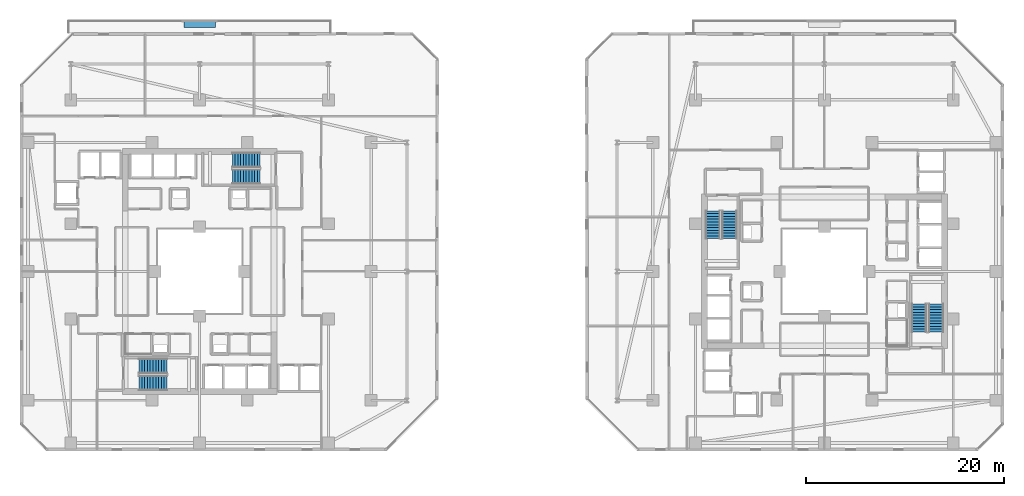
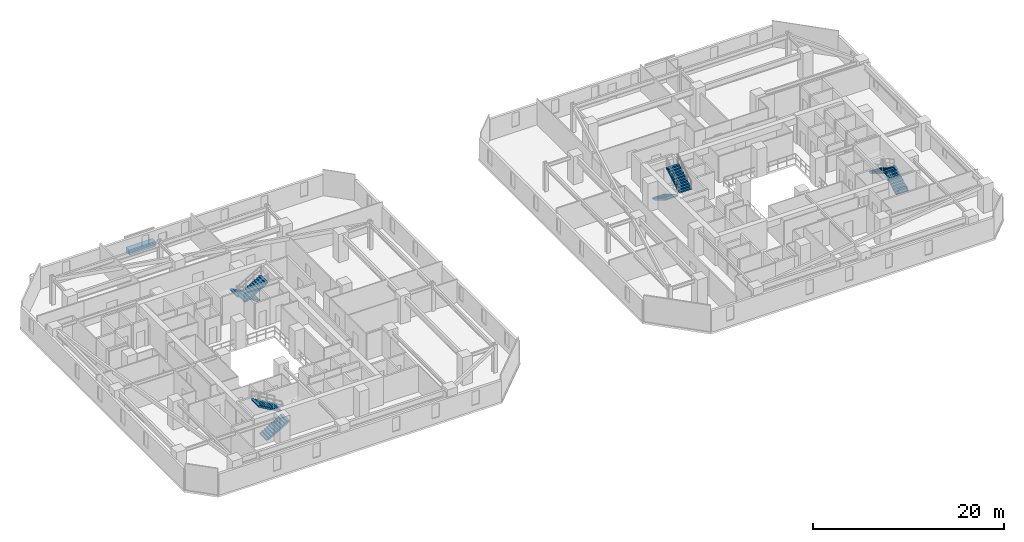
# One storey, part 25 of 31: 8 stair flights, 1 discrete accessory, 4 elements without a shape of their own.
"""IFC4 building model written with IfcOpenShell, lengths in metres."""

from ifc_helpers import new_model, si_unit, direction, frame, origin, origin_2d, place, context, subcontext, project, spatial, polyline, rectangle, outline, extrude, material, type_object, element, aggregate, save


model = new_model("IFC4")

# Units and contexts
model_context = context("Model", 3, precision=1e-05, world=origin(), true_north=direction((0.0, 1.0)))
body_context = subcontext(model_context, "Body", "Model", "MODEL_VIEW")
ifc_project = project(units=[si_unit("LENGTHUNIT", "METRE"), si_unit("AREAUNIT", "SQUARE_METRE"), si_unit("VOLUMEUNIT", "CUBIC_METRE"), si_unit("PLANEANGLEUNIT", "RADIAN"), si_unit("MASSUNIT", "GRAM", prefix="KILO")], contexts=[model_context])

# Site, building, storey
site_placement = place(None, origin())
site = spatial("IfcSite", under=ifc_project, at=site_placement, CompositionType="ELEMENT")
building_placement = place(site_placement, origin())
building = spatial("IfcBuilding", under=site, at=building_placement, Name="Thornwick Lancets Civic Towers", CompositionType="ELEMENT")
storey_placement = place(building_placement, frame((0.0, 0.0, 87.300048828125)))
storey = spatial("IfcBuildingStorey", under=building, at=storey_placement, Name="L22", CompositionType="ELEMENT", Elevation=87.300048828125)

# Stair, stair flights
ifc_material_1 = material(Name="Concrete C40/50", Category="concrete")
stair_type = type_object("IfcStairType", Name="STAIR_DL_3600", PredefinedType="HALF_TURN_STAIR", material=ifc_material_1)
stair_1_placement = place(storey_placement, origin())
stair_1 = element("IfcStair", 1, at=stair_1_placement, inside=storey, type_object=stair_type, Name="L22 Tower A South Exit Stair ST-A1", PredefinedType="HALF_TURN_STAIR")
stair_flight_type = type_object("IfcStairFlightType", Name="FLIGHT_3600", PredefinedType="STRAIGHT", material=ifc_material_1)
stair_flight_1_placement = place(storey_placement, frame((19.39990234375, 15.75, 0.0), z_axis=(0.0, 0.0, 1.0), x_axis=(1.0, 0.0, 0.0)))
stair_flight_1 = element("IfcStairFlight", 2, at=stair_flight_1_placement, type_object=stair_flight_type, Name="ST-A1 flight 1", NumberOfRisers=11, NumberOfTreads=10, PredefinedType="STRAIGHT", RiserHeight=0.163636364, TreadLength=0.28, context=body_context, shape_type="SweptSolid", body=[
    extrude(outline(polyline([(0.0, 0.0), (0.0, 0.16357421875), (0.280029296875, 0.16357421875), (0.280029296875, 0.327392578125), (0.56005859375, 0.327392578125), (0.56005859375, 0.490966796875), (0.840087890625, 0.490966796875), (0.840087890625, 0.654541015625), (1.1201171875, 0.654541015625), (1.1201171875, 0.818115234375), (1.39990234375, 0.818115234375), (1.39990234375, 0.98193359375), (1.679931640625, 0.98193359375), (1.679931640625, 1.1455078125), (1.9599609375, 1.1455078125), (1.9599609375, 1.30908203125), (2.239990234375, 1.30908203125), (2.239990234375, 1.47265625), (2.52001953125, 1.47265625), (2.52001953125, 1.636474609375), (2.800048828125, 1.636474609375), (2.800048828125, 1.800048828125), (2.800048828125, 1.462646484375), (0.297119140625, 0.0), (0.0, 0.0)])), frame((0.0, 0.75, 0.0), z_axis=(0.0, -1.0, 0.0), x_axis=(1.0, 0.0, 0.0)), (0.0, 0.0, 1.0), 1.5),
])
stair_flight_2_placement = place(storey_placement, frame((22.199951171875, 17.449951171875, 1.800048828125), z_axis=(0.0, 0.0, 1.0), x_axis=(-1.0, 0.0, 0.0)))
stair_flight_2 = element("IfcStairFlight", 3, at=stair_flight_2_placement, type_object=stair_flight_type, Name="ST-A1 flight 2", NumberOfRisers=11, NumberOfTreads=10, PredefinedType="STRAIGHT", RiserHeight=0.163636364, TreadLength=0.28, context=body_context, shape_type="SweptSolid", body=[
    extrude(outline(polyline([(0.0, 0.0), (0.0, 0.16357421875), (0.280029296875, 0.16357421875), (0.280029296875, 0.327392578125), (0.56005859375, 0.327392578125), (0.56005859375, 0.490966796875), (0.840087890625, 0.490966796875), (0.840087890625, 0.654541015625), (1.1201171875, 0.654541015625), (1.1201171875, 0.818115234375), (1.39990234375, 0.818115234375), (1.39990234375, 0.98193359375), (1.679931640625, 0.98193359375), (1.679931640625, 1.1455078125), (1.9599609375, 1.1455078125), (1.9599609375, 1.30908203125), (2.239990234375, 1.30908203125), (2.239990234375, 1.47265625), (2.52001953125, 1.47265625), (2.52001953125, 1.636474609375), (2.800048828125, 1.636474609375), (2.800048828125, 1.800048828125), (2.800048828125, 1.462646484375), (0.297119140625, 0.0), (0.0, 0.0)])), frame((0.0, 0.75, 0.0), z_axis=(0.0, -1.0, 0.0), x_axis=(1.0, 0.0, 0.0)), (0.0, 0.0, 1.0), 1.5),
])
aggregate(stair_1, [stair_flight_1, stair_flight_2])

stair_2_placement = place(storey_placement, origin())
stair_2 = element("IfcStair", 4, at=stair_2_placement, inside=storey, type_object=stair_type, Name="L22 Tower A North Exit Stair ST-A2", PredefinedType="HALF_TURN_STAIR")
stair_flight_3_placement = place(storey_placement, frame((31.60009765625, 38.25, 0.0), z_axis=(0.0, 0.0, 1.0), x_axis=(-1.0, 0.0, 0.0)))
stair_flight_3 = element("IfcStairFlight", 5, at=stair_flight_3_placement, type_object=stair_flight_type, Name="ST-A2 flight 1", NumberOfRisers=11, NumberOfTreads=10, PredefinedType="STRAIGHT", RiserHeight=0.163636364, TreadLength=0.28, context=body_context, shape_type="SweptSolid", body=[
    extrude(outline(polyline([(0.0, 0.0), (0.0, 0.16357421875), (0.280029296875, 0.16357421875), (0.280029296875, 0.327392578125), (0.56005859375, 0.327392578125), (0.56005859375, 0.490966796875), (0.840087890625, 0.490966796875), (0.840087890625, 0.654541015625), (1.1201171875, 0.654541015625), (1.1201171875, 0.818115234375), (1.39990234375, 0.818115234375), (1.39990234375, 0.98193359375), (1.679931640625, 0.98193359375), (1.679931640625, 1.1455078125), (1.9599609375, 1.1455078125), (1.9599609375, 1.30908203125), (2.239990234375, 1.30908203125), (2.239990234375, 1.47265625), (2.52001953125, 1.47265625), (2.52001953125, 1.636474609375), (2.800048828125, 1.636474609375), (2.800048828125, 1.800048828125), (2.800048828125, 1.462646484375), (0.297119140625, 0.0), (0.0, 0.0)])), frame((0.0, 0.75, 0.0), z_axis=(0.0, -1.0, 0.0), x_axis=(1.0, 0.0, 0.0)), (0.0, 0.0, 1.0), 1.5),
])
stair_flight_4_placement = place(storey_placement, frame((28.800048828125, 36.550048828125, 1.800048828125), z_axis=(0.0, 0.0, 1.0), x_axis=(1.0, 0.0, 0.0)))
stair_flight_4 = element("IfcStairFlight", 6, at=stair_flight_4_placement, type_object=stair_flight_type, Name="ST-A2 flight 2", NumberOfRisers=11, NumberOfTreads=10, PredefinedType="STRAIGHT", RiserHeight=0.163636364, TreadLength=0.28, context=body_context, shape_type="SweptSolid", body=[
    extrude(outline(polyline([(0.0, 0.0), (0.0, 0.16357421875), (0.280029296875, 0.16357421875), (0.280029296875, 0.327392578125), (0.56005859375, 0.327392578125), (0.56005859375, 0.490966796875), (0.840087890625, 0.490966796875), (0.840087890625, 0.654541015625), (1.1201171875, 0.654541015625), (1.1201171875, 0.818115234375), (1.39990234375, 0.818115234375), (1.39990234375, 0.98193359375), (1.679931640625, 0.98193359375), (1.679931640625, 1.1455078125), (1.9599609375, 1.1455078125), (1.9599609375, 1.30908203125), (2.239990234375, 1.30908203125), (2.239990234375, 1.47265625), (2.52001953125, 1.47265625), (2.52001953125, 1.636474609375), (2.800048828125, 1.636474609375), (2.800048828125, 1.800048828125), (2.800048828125, 1.462646484375), (0.297119140625, 0.0), (0.0, 0.0)])), frame((0.0, 0.75, 0.0), z_axis=(0.0, -1.0, 0.0), x_axis=(1.0, 0.0, 0.0)), (0.0, 0.0, 1.0), 1.5),
])
aggregate(stair_2, [stair_flight_3, stair_flight_4])

stair_3_placement = place(storey_placement, origin())
stair_3 = element("IfcStair", 7, at=stair_3_placement, inside=storey, type_object=stair_type, Name="L22 Tower B East Exit Stair ST-B1", PredefinedType="HALF_TURN_STAIR")
stair_flight_5_placement = place(storey_placement, frame((99.75, 20.89990234375, 0.0), z_axis=(0.0, 0.0, 1.0), x_axis=(0.0, 1.0, 0.0)))
stair_flight_5 = element("IfcStairFlight", 8, at=stair_flight_5_placement, type_object=stair_flight_type, Name="ST-B1 flight 1", NumberOfRisers=11, NumberOfTreads=10, PredefinedType="STRAIGHT", RiserHeight=0.163636364, TreadLength=0.28, context=body_context, shape_type="SweptSolid", body=[
    extrude(outline(polyline([(0.0, 0.0), (0.0, 0.16357421875), (0.280029296875, 0.16357421875), (0.280029296875, 0.327392578125), (0.56005859375, 0.327392578125), (0.56005859375, 0.490966796875), (0.840087890625, 0.490966796875), (0.840087890625, 0.654541015625), (1.1201171875, 0.654541015625), (1.1201171875, 0.818115234375), (1.39990234375, 0.818115234375), (1.39990234375, 0.98193359375), (1.679931640625, 0.98193359375), (1.679931640625, 1.1455078125), (1.9599609375, 1.1455078125), (1.9599609375, 1.30908203125), (2.239990234375, 1.30908203125), (2.239990234375, 1.47265625), (2.52001953125, 1.47265625), (2.52001953125, 1.636474609375), (2.800048828125, 1.636474609375), (2.800048828125, 1.800048828125), (2.800048828125, 1.462646484375), (0.297119140625, 0.0), (0.0, 0.0)])), frame((0.0, 0.75, 0.0), z_axis=(0.0, -1.0, 0.0), x_axis=(1.0, 0.0, 0.0)), (0.0, 0.0, 1.0), 1.5),
])
stair_flight_6_placement = place(storey_placement, frame((98.050048828125, 23.699951171875, 1.800048828125), z_axis=(0.0, 0.0, 1.0), x_axis=(0.0, -1.0, 0.0)))
stair_flight_6 = element("IfcStairFlight", 9, at=stair_flight_6_placement, type_object=stair_flight_type, Name="ST-B1 flight 2", NumberOfRisers=11, NumberOfTreads=10, PredefinedType="STRAIGHT", RiserHeight=0.163636364, TreadLength=0.28, context=body_context, shape_type="SweptSolid", body=[
    extrude(outline(polyline([(0.0, 0.0), (0.0, 0.16357421875), (0.280029296875, 0.16357421875), (0.280029296875, 0.327392578125), (0.56005859375, 0.327392578125), (0.56005859375, 0.490966796875), (0.840087890625, 0.490966796875), (0.840087890625, 0.654541015625), (1.1201171875, 0.654541015625), (1.1201171875, 0.818115234375), (1.39990234375, 0.818115234375), (1.39990234375, 0.98193359375), (1.679931640625, 0.98193359375), (1.679931640625, 1.1455078125), (1.9599609375, 1.1455078125), (1.9599609375, 1.30908203125), (2.239990234375, 1.30908203125), (2.239990234375, 1.47265625), (2.52001953125, 1.47265625), (2.52001953125, 1.636474609375), (2.800048828125, 1.636474609375), (2.800048828125, 1.800048828125), (2.800048828125, 1.462646484375), (0.297119140625, 0.0), (0.0, 0.0)])), frame((0.0, 0.75, 0.0), z_axis=(0.0, -1.0, 0.0), x_axis=(1.0, 0.0, 0.0)), (0.0, 0.0, 1.0), 1.5),
])
aggregate(stair_3, [stair_flight_5, stair_flight_6])

stair_4_placement = place(storey_placement, origin())
stair_4 = element("IfcStair", 10, at=stair_4_placement, inside=storey, type_object=stair_type, Name="L22 Tower B West Exit Stair ST-B2", PredefinedType="HALF_TURN_STAIR")
stair_flight_7_placement = place(storey_placement, frame((77.25, 33.10009765625, 0.0), z_axis=(0.0, 0.0, 1.0), x_axis=(0.0, -1.0, 0.0)))
stair_flight_7 = element("IfcStairFlight", 11, at=stair_flight_7_placement, type_object=stair_flight_type, Name="ST-B2 flight 1", NumberOfRisers=11, NumberOfTreads=10, PredefinedType="STRAIGHT", RiserHeight=0.163636364, TreadLength=0.28, context=body_context, shape_type="SweptSolid", body=[
    extrude(outline(polyline([(0.0, 0.0), (0.0, 0.16357421875), (0.280029296875, 0.16357421875), (0.280029296875, 0.327392578125), (0.56005859375, 0.327392578125), (0.56005859375, 0.490966796875), (0.840087890625, 0.490966796875), (0.840087890625, 0.654541015625), (1.1201171875, 0.654541015625), (1.1201171875, 0.818115234375), (1.39990234375, 0.818115234375), (1.39990234375, 0.98193359375), (1.679931640625, 0.98193359375), (1.679931640625, 1.1455078125), (1.9599609375, 1.1455078125), (1.9599609375, 1.30908203125), (2.239990234375, 1.30908203125), (2.239990234375, 1.47265625), (2.52001953125, 1.47265625), (2.52001953125, 1.636474609375), (2.800048828125, 1.636474609375), (2.800048828125, 1.800048828125), (2.800048828125, 1.462646484375), (0.297119140625, 0.0), (0.0, 0.0)])), frame((0.0, 0.75, 0.0), z_axis=(0.0, -1.0, 0.0), x_axis=(1.0, 0.0, 0.0)), (0.0, 0.0, 1.0), 1.5),
])
stair_flight_8_placement = place(storey_placement, frame((78.949951171875, 30.300048828125, 1.800048828125), z_axis=(0.0, 0.0, 1.0), x_axis=(0.0, 1.0, 0.0)))
stair_flight_8 = element("IfcStairFlight", 12, at=stair_flight_8_placement, type_object=stair_flight_type, Name="ST-B2 flight 2", NumberOfRisers=11, NumberOfTreads=10, PredefinedType="STRAIGHT", RiserHeight=0.163636364, TreadLength=0.28, context=body_context, shape_type="SweptSolid", body=[
    extrude(outline(polyline([(0.0, 0.0), (0.0, 0.16357421875), (0.280029296875, 0.16357421875), (0.280029296875, 0.327392578125), (0.56005859375, 0.327392578125), (0.56005859375, 0.490966796875), (0.840087890625, 0.490966796875), (0.840087890625, 0.654541015625), (1.1201171875, 0.654541015625), (1.1201171875, 0.818115234375), (1.39990234375, 0.818115234375), (1.39990234375, 0.98193359375), (1.679931640625, 0.98193359375), (1.679931640625, 1.1455078125), (1.9599609375, 1.1455078125), (1.9599609375, 1.30908203125), (2.239990234375, 1.30908203125), (2.239990234375, 1.47265625), (2.52001953125, 1.47265625), (2.52001953125, 1.636474609375), (2.800048828125, 1.636474609375), (2.800048828125, 1.800048828125), (2.800048828125, 1.462646484375), (0.297119140625, 0.0), (0.0, 0.0)])), frame((0.0, 0.75, 0.0), z_axis=(0.0, -1.0, 0.0), x_axis=(1.0, 0.0, 0.0)), (0.0, 0.0, 1.0), 1.5),
])
aggregate(stair_4, [stair_flight_7, stair_flight_8])

# Discrete accessory
ifc_material_2 = material(Name="Planted terracotta greenery planter", Category="masonry")
discrete_accessory_type = type_object("IfcDiscreteAccessoryType", Name="ACC_PLANTER_BOX", PredefinedType="USERDEFINED", material=ifc_material_2)
discrete_accessory_placement = place(storey_placement, frame((25.5, 51.89990234375, 0.0), z_axis=(0.0, 0.0, 1.0), x_axis=(1.0, 0.0, 0.0)))
element("IfcDiscreteAccessory", 13, at=discrete_accessory_placement, inside=storey, type_object=discrete_accessory_type, Name="L22 Tower A Balcony Greenery Planter N", ObjectType="PLANTER", PredefinedType="USERDEFINED", context=body_context, shape_type="SweptSolid", body=[
    extrude(rectangle(XDim=3.199951171875, YDim=0.64990234375, at=origin_2d()), origin(), (0.0, 0.0, 1.0), 0.64990234375),
])

save(model, "model.ifc")
